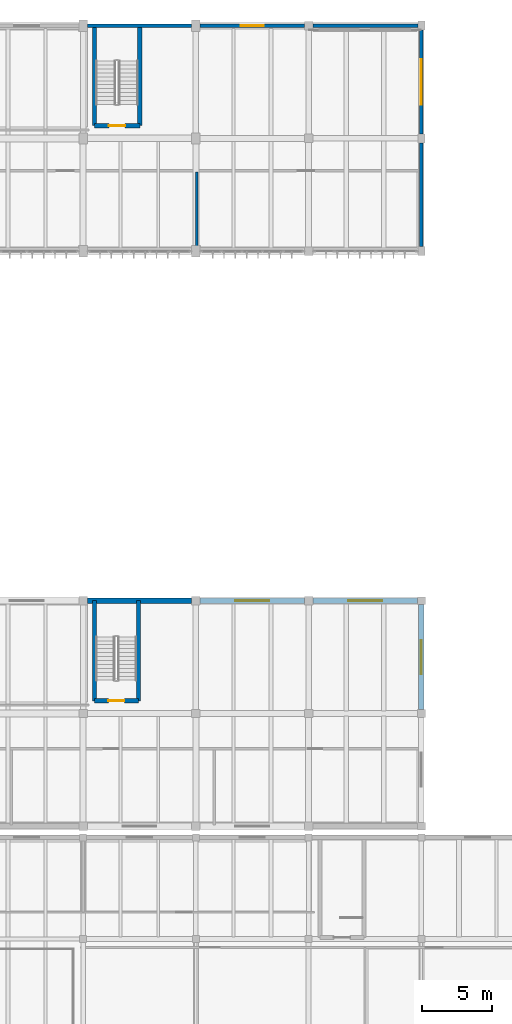
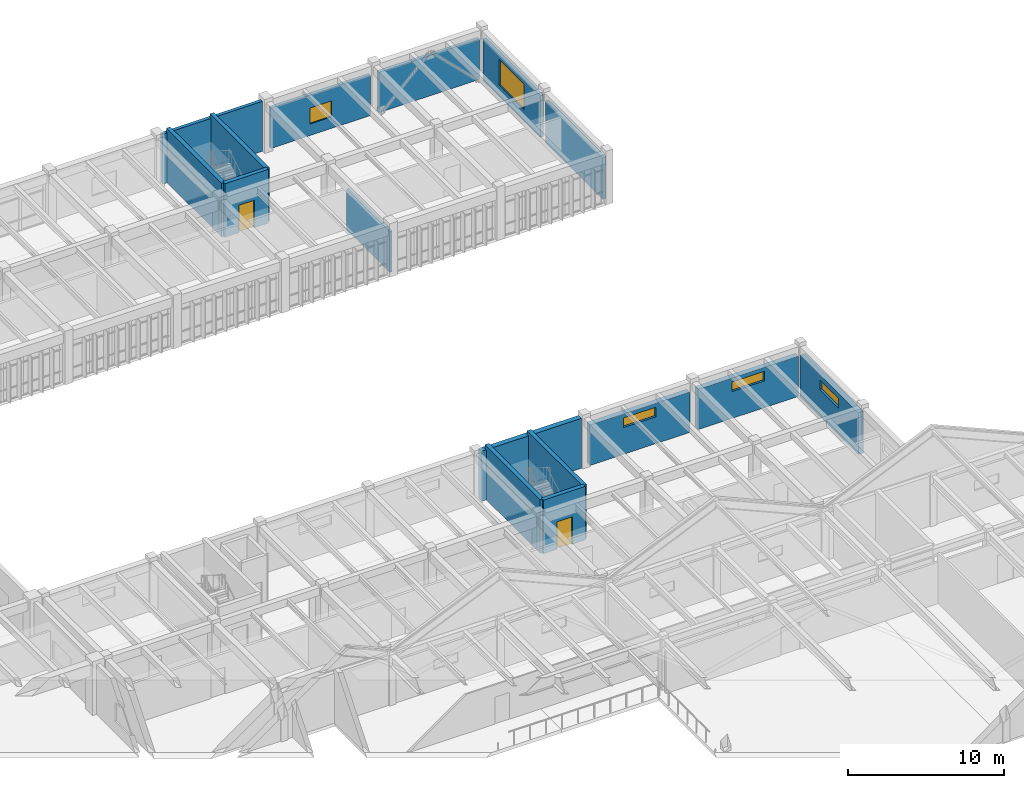
# One storey, part 51 of 67: 16 walls, 5 windows, 2 doors, 7 openings.
"""IFC4 building model written with IfcOpenShell, lengths in metres."""

from ifc_helpers import new_model, si_unit, direction, frame, frame_2d, origin, place, context, subcontext, project, spatial, rectangle, extrude, material, layer, layer_set, type_object, element, fill, save


model = new_model("IFC4")

# Units and contexts
model_context = context("Model", 3, precision=1e-05, world=origin(), true_north=direction((0.0, 1.0)))
body_context = subcontext(model_context, "Body", "Model", "MODEL_VIEW")
ifc_project = project(units=[si_unit("LENGTHUNIT", "METRE"), si_unit("AREAUNIT", "SQUARE_METRE"), si_unit("VOLUMEUNIT", "CUBIC_METRE"), si_unit("PLANEANGLEUNIT", "RADIAN"), si_unit("MASSUNIT", "GRAM", prefix="KILO")], contexts=[model_context])

# Site, building, storey
site_placement = place(None, origin())
site = spatial("IfcSite", under=ifc_project, at=site_placement, CompositionType="ELEMENT")
building_placement = place(site_placement, origin())
building = spatial("IfcBuilding", under=site, at=building_placement, Name="Tlaxcora Railside Police Headquarters", CompositionType="ELEMENT")
storey_placement = place(building_placement, frame((0.0, 0.0, 4.800048828125)))
storey = spatial("IfcBuildingStorey", under=building, at=storey_placement, Name="L01", CompositionType="ELEMENT", Elevation=4.800048828125)

# Wall
ifc_material_1 = material(Name="Gypsum acoustic partition board")
ifc_layer_1 = layer(ifc_material_1, 0.175048828125, Name="Gypsum acoustic partition board")
ifc_layer_set_1 = layer_set([ifc_layer_1], Name="Gypsum acoustic partition board")
wall_type_1 = type_object("IfcWallType", Name="Interior Partition Wall IW-22", PredefinedType="PARTITIONING", material=ifc_layer_set_1)
wall_1_placement = place(storey_placement, frame((142.875, 76.8798828125, 0.0), z_axis=(0.0, 0.0, 1.0), x_axis=(0.0, 1.0, 0.0)))
element("IfcWall", 1, at=wall_1_placement, inside=storey, type_object=wall_type_1, Name="V6 L01 interior partition 100", PredefinedType="PARTITIONING", context=body_context, shape_type="SweptSolid", body=[
    extrude(rectangle(XDim=5.52001953125, YDim=0.175048828125, at=frame_2d((2.760009765625, 0.0))), origin(), (0.0, 0.0, 1.0), 3.195068359375),
])

# Wall, opening, door
ifc_material_2 = material(Name="Concrete C40/50", Category="concrete")
ifc_layer_2 = layer(ifc_material_2, 0.300048828125, Name="Concrete C40/50")
ifc_layer_set_2 = layer_set([ifc_layer_2], Name="Concrete C40/50")
wall_type_2 = type_object("IfcWallType", Name="Shear Core Wall IW-28", PredefinedType="SHEAR", material=ifc_layer_set_2)
wall_2_placement = place(storey_placement, frame((135.60009765625, 85.699951171875, 0.0), z_axis=(0.0, 0.0, 1.0), x_axis=(1.0, 0.0, 0.0)))
wall_2 = element("IfcWall", 2, at=wall_2_placement, inside=storey, type_object=wall_type_2, Name="CORE-C3B L01 stair core wall S", PredefinedType="SHEAR", context=body_context, shape_type="SweptSolid", body=[
    extrude(rectangle(XDim=3.219970703125, YDim=0.300048828125, at=frame_2d((1.60986328125, 0.0))), origin(), (0.0, 0.0, 1.0), 4.199951171875),
])
opening_1_placement = place(wall_2_placement, frame((1.034912109375, 0.0, 0.0)))
opening_1 = element("IfcOpeningElement", 3, at=opening_1_placement, cuts=wall_2, Name="Opening SD-L01-027", PredefinedType="OPENING", context=body_context, shape_type="SweptSolid", body=[
    extrude(rectangle(XDim=1.14990234375, YDim=2.14990234375, at=frame_2d((0.574951171875, 1.074951171875))), frame((0.0, 0.16015625, 0.0), z_axis=(0.0, -1.0, 0.0), x_axis=(1.0, 0.0, 0.0)), (0.0, 0.0, 1.0), 0.320068359375),
])
ifc_material_3 = material(Name="Steel ASTM A992 Grade 50", Category="steel")
door_type = type_object("IfcDoorType", Name="Swing or Sliding Personnel Door ID-73", OperationType="NOTDEFINED", PredefinedType="DOOR", material=ifc_material_3)
door_1_placement = place(opening_1_placement, origin())
door_1 = element("IfcDoor", 4, at=door_1_placement, inside=storey, type_object=door_type, Name="Stair ST8 L01 enclosure fire door", OperationType="SINGLE_SWING_LEFT", OverallHeight=2.14990234375, OverallWidth=1.14990234375, PredefinedType="DOOR", context=body_context, shape_type="SweptSolid", body=[
    extrude(rectangle(XDim=1.14990234375, YDim=2.14990234375, at=frame_2d((0.574951171875, 1.074951171875))), frame((0.0, 0.02490234375, 0.0), z_axis=(0.0, -1.0, 0.0), x_axis=(1.0, 0.0, 0.0)), (0.0, 0.0, 1.0), 0.050048828125),
])
fill(opening_1, door_1)

# Walls
for number, where, z_axis, x_axis, name in (
    (5, (138.820068359375, 85.699951171875, 0.0), (0.0, 0.0, 1.0), (0.0, 1.0, 0.0), "CORE-C3B L01 stair core wall E"),
    (6, (135.60009765625, 92.800048828125, 0.0), (0.0, 0.0, 1.0), (0.0, -1.0, 0.0), "CORE-C3B L01 stair core wall W"),
):
    element("IfcWall", number, at=place(storey_placement, frame(where, z_axis=z_axis, x_axis=x_axis)), inside=storey, type_object=wall_type_2, Name=name, PredefinedType="SHEAR", context=body_context, shape_type="SweptSolid", body=[
        extrude(rectangle(XDim=7.10009765625, YDim=0.300048828125, at=frame_2d((3.550048828125, 0.0))), origin(), (0.0, 0.0, 1.0), 4.199951171875),
    ])

# Wall, opening, door
wall_3_placement = place(storey_placement, frame((135.60009765625, 44.89990234375, 0.0), z_axis=(0.0, 0.0, 1.0), x_axis=(1.0, 0.0, 0.0)))
wall_3 = element("IfcWall", 7, at=wall_3_placement, inside=storey, type_object=wall_type_2, Name="CORE-C7B L01 stair core wall S", PredefinedType="SHEAR", context=body_context, shape_type="SweptSolid", body=[
    extrude(rectangle(XDim=3.119873046875, YDim=0.300048828125, at=frame_2d((1.56005859375, 0.0))), origin(), (0.0, 0.0, 1.0), 4.199951171875),
])
opening_2_placement = place(wall_3_placement, frame((0.985107421875, 0.0, 0.0)))
opening_2 = element("IfcOpeningElement", 8, at=opening_2_placement, cuts=wall_3, Name="Opening SD-L01-052", PredefinedType="OPENING", context=body_context, shape_type="SweptSolid", body=[
    extrude(rectangle(XDim=1.14990234375, YDim=2.14990234375, at=frame_2d((0.574951171875, 1.074951171875))), frame((0.0, 0.16015625, 0.0), z_axis=(0.0, -1.0, 0.0), x_axis=(1.0, 0.0, 0.0)), (0.0, 0.0, 1.0), 0.320068359375),
])
door_2_placement = place(opening_2_placement, origin())
door_2 = element("IfcDoor", 9, at=door_2_placement, inside=storey, type_object=door_type, Name="Stair ST11 L01 enclosure fire door", OperationType="SINGLE_SWING_RIGHT", OverallHeight=2.14990234375, OverallWidth=1.14990234375, PredefinedType="DOOR", context=body_context, shape_type="SweptSolid", body=[
    extrude(rectangle(XDim=1.14990234375, YDim=2.14990234375, at=frame_2d((0.574951171875, 1.074951171875))), frame((0.0, 0.02490234375, 0.0), z_axis=(0.0, -1.0, 0.0), x_axis=(1.0, 0.0, 0.0)), (0.0, 0.0, 1.0), 0.050048828125),
])
fill(opening_2, door_2)

# Walls
for number, where, z_axis, x_axis, name in (
    (10, (138.719970703125, 44.89990234375, 0.0), (0.0, 0.0, 1.0), (0.0, 1.0, 0.0), "CORE-C7B L01 stair core wall E"),
    (11, (135.60009765625, 52.0, 0.0), (0.0, 0.0, 1.0), (0.0, -1.0, 0.0), "CORE-C7B L01 stair core wall W"),
):
    element("IfcWall", number, at=place(storey_placement, frame(where, z_axis=z_axis, x_axis=x_axis)), inside=storey, type_object=wall_type_2, Name=name, PredefinedType="SHEAR", context=body_context, shape_type="SweptSolid", body=[
        extrude(rectangle(XDim=7.10009765625, YDim=0.300048828125, at=frame_2d((3.550048828125, 0.0))), origin(), (0.0, 0.0, 1.0), 4.199951171875),
    ])

# Wall, opening, window
ifc_layer_3 = layer(ifc_material_2, 0.3798828125, Name="Concrete C40/50")
ifc_layer_set_3 = layer_set([ifc_layer_3], Name="Concrete C40/50")
wall_type_3 = type_object("IfcWallType", Name="Structural Bearing Wall EW-29", PredefinedType="SOLIDWALL", material=ifc_layer_set_3)
wall_4_placement = place(storey_placement, frame((158.800048828125, 44.27490234375, 0.0), z_axis=(0.0, 0.0, 1.0), x_axis=(0.0, 1.0, 0.0)))
wall_4 = element("IfcWall", 12, at=wall_4_placement, inside=storey, type_object=wall_type_3, Name="V7 L01 exterior wall 1.1", PredefinedType="SOLIDWALL", context=body_context, shape_type="SweptSolid", body=[
    extrude(rectangle(XDim=7.4501953125, YDim=0.3798828125, at=frame_2d((3.72509765625, 0.0))), origin(), (0.0, 0.0, 1.0), 3.260009765625),
])
opening_3_placement = place(wall_4_placement, frame((2.52490234375, 0.0, 2.10009765625)))
opening_3 = element("IfcOpeningElement", 13, at=opening_3_placement, cuts=wall_4, Name="Opening WN-32", PredefinedType="OPENING", context=body_context, shape_type="SweptSolid", body=[
    extrude(rectangle(XDim=2.39990234375, YDim=0.75, at=frame_2d((1.199951171875, 0.375))), frame((0.0, 0.199951171875, 0.0), z_axis=(0.0, -1.0, 0.0), x_axis=(1.0, 0.0, 0.0)), (0.0, 0.0, 1.0), 0.39990234375),
])
ifc_material_4 = material(Name="Thermally broken low-E insulated glazing", Category="glass")
window_type_1 = type_object("IfcWindowType", Name="Exterior Framed or Circular Window WN-32", PartitioningType="SINGLE_PANEL", PredefinedType="WINDOW", material=ifc_material_4)
window_1_placement = place(opening_3_placement, origin())
window_1 = element("IfcWindow", 14, at=window_1_placement, inside=storey, type_object=window_type_1, Name="V7 L01 window 201", OverallHeight=0.75, OverallWidth=2.39990234375, PartitioningType="SINGLE_PANEL", PredefinedType="WINDOW", context=body_context, shape_type="SweptSolid", body=[
    extrude(rectangle(XDim=2.39990234375, YDim=0.75, at=frame_2d((1.199951171875, 0.375))), frame((0.0, 0.030029296875, 0.0), z_axis=(0.0, -1.0, 0.0), x_axis=(1.0, 0.0, 0.0)), (0.0, 0.0, 1.0), 0.06005859375),
])
fill(opening_3, window_1)

wall_5_placement = place(storey_placement, frame((158.52490234375, 52.0, 0.0), z_axis=(0.0, 0.0, 1.0), x_axis=(-1.0, 0.0, 0.0)))
wall_5 = element("IfcWall", 15, at=wall_5_placement, inside=storey, type_object=wall_type_3, Name="V7 L01 exterior wall 2.0", PredefinedType="SOLIDWALL", context=body_context, shape_type="SweptSolid", body=[
    extrude(rectangle(XDim=7.4248046875, YDim=0.3798828125, at=frame_2d((3.71240234375, 0.0))), origin(), (0.0, 0.0, 1.0), 3.159912109375),
])
opening_4_placement = place(wall_5_placement, frame((2.512451171875, 0.0, 2.10009765625)))
opening_4 = element("IfcOpeningElement", 16, at=opening_4_placement, cuts=wall_5, Name="Opening WN-32", PredefinedType="OPENING", context=body_context, shape_type="SweptSolid", body=[
    extrude(rectangle(XDim=2.39990234375, YDim=0.75, at=frame_2d((1.199951171875, 0.375))), frame((0.0, 0.199951171875, 0.0), z_axis=(0.0, -1.0, 0.0), x_axis=(1.0, 0.0, 0.0)), (0.0, 0.0, 1.0), 0.39990234375),
])
window_2_placement = place(opening_4_placement, origin())
window_2 = element("IfcWindow", 17, at=window_2_placement, inside=storey, type_object=window_type_1, Name="V7 L01 window 202", OverallHeight=0.75, OverallWidth=2.39990234375, PartitioningType="SINGLE_PANEL", PredefinedType="WINDOW", context=body_context, shape_type="SweptSolid", body=[
    extrude(rectangle(XDim=2.39990234375, YDim=0.75, at=frame_2d((1.199951171875, 0.375))), frame((0.0, 0.030029296875, 0.0), z_axis=(0.0, -1.0, 0.0), x_axis=(1.0, 0.0, 0.0)), (0.0, 0.0, 1.0), 0.06005859375),
])
fill(opening_4, window_2)

wall_6_placement = place(storey_placement, frame((150.5, 52.0, 0.0), z_axis=(0.0, 0.0, 1.0), x_axis=(-1.0, 0.0, 0.0)))
wall_6 = element("IfcWall", 18, at=wall_6_placement, inside=storey, type_object=wall_type_3, Name="V7 L01 exterior wall 2.1", PredefinedType="SOLIDWALL", context=body_context, shape_type="SweptSolid", body=[
    extrude(rectangle(XDim=7.39990234375, YDim=0.3798828125, at=frame_2d((3.699951171875, 0.0))), origin(), (0.0, 0.0, 1.0), 3.159912109375),
])
opening_5_placement = place(wall_6_placement, frame((2.5, 0.0, 2.10009765625)))
opening_5 = element("IfcOpeningElement", 19, at=opening_5_placement, cuts=wall_6, Name="Opening WN-32", PredefinedType="OPENING", context=body_context, shape_type="SweptSolid", body=[
    extrude(rectangle(XDim=2.39990234375, YDim=0.75, at=frame_2d((1.199951171875, 0.375))), frame((0.0, 0.199951171875, 0.0), z_axis=(0.0, -1.0, 0.0), x_axis=(1.0, 0.0, 0.0)), (0.0, 0.0, 1.0), 0.39990234375),
])
window_3_placement = place(opening_5_placement, origin())
window_3 = element("IfcWindow", 20, at=window_3_placement, inside=storey, type_object=window_type_1, Name="V7 L01 window 203", OverallHeight=0.75, OverallWidth=2.39990234375, PartitioningType="SINGLE_PANEL", PredefinedType="WINDOW", context=body_context, shape_type="SweptSolid", body=[
    extrude(rectangle(XDim=2.39990234375, YDim=0.75, at=frame_2d((1.199951171875, 0.375))), frame((0.0, 0.030029296875, 0.0), z_axis=(0.0, -1.0, 0.0), x_axis=(1.0, 0.0, 0.0)), (0.0, 0.0, 1.0), 0.06005859375),
])
fill(opening_5, window_3)

# Walls
wall_7_placement = place(storey_placement, frame((142.5, 52.0, 0.0), z_axis=(0.0, 0.0, 1.0), x_axis=(-1.0, 0.0, 0.0)))
element("IfcWall", 21, at=wall_7_placement, inside=storey, type_object=wall_type_3, Name="V7 L01 exterior wall 2.2", PredefinedType="SOLIDWALL", context=body_context, shape_type="SweptSolid", body=[
    extrude(rectangle(XDim=7.39990234375, YDim=0.3798828125, at=frame_2d((3.699951171875, 0.0))), origin(), (0.0, 0.0, 1.0), 3.909912109375),
])
ifc_material_5 = material(Name="Precast concrete C40/50", Category="concrete")
ifc_layer_4 = layer(ifc_material_5, 0.2451171875, Name="Precast concrete C40/50")
ifc_layer_set_4 = layer_set([ifc_layer_4], Name="Precast concrete C40/50")
wall_type_4 = type_object("IfcWallType", Name="Structural Bearing Wall EW-94", PredefinedType="SOLIDWALL", material=ifc_layer_set_4)
wall_8_placement = place(storey_placement, frame((158.800048828125, 77.125, 0.0), z_axis=(0.0, 0.0, 1.0), x_axis=(0.0, 1.0, 0.0)))
element("IfcWall", 22, at=wall_8_placement, inside=storey, type_object=wall_type_4, Name="V6 L01 exterior wall 1.0", PredefinedType="SOLIDWALL", context=body_context, shape_type="SweptSolid", body=[
    extrude(rectangle(XDim=7.35009765625, YDim=0.2451171875, at=frame_2d((3.675048828125, 0.0))), origin(), (0.0, 0.0, 1.0), 3.260009765625),
])

# Wall, opening, window
wall_9_placement = place(storey_placement, frame((158.800048828125, 85.125, 0.0), z_axis=(0.0, 0.0, 1.0), x_axis=(0.0, 1.0, 0.0)))
wall_9 = element("IfcWall", 23, at=wall_9_placement, inside=storey, type_object=wall_type_4, Name="V6 L01 exterior wall 1.1", PredefinedType="SOLIDWALL", context=body_context, shape_type="SweptSolid", body=[
    extrude(rectangle(XDim=7.35009765625, YDim=0.2451171875, at=frame_2d((3.675048828125, 0.0))), origin(), (0.0, 0.0, 1.0), 3.260009765625),
])
opening_6_placement = place(wall_9_placement, frame((2.074951171875, 0.0, 0.89990234375)))
opening_6 = element("IfcOpeningElement", 24, at=opening_6_placement, cuts=wall_9, Name="Opening WN-64", PredefinedType="OPENING", context=body_context, shape_type="SweptSolid", body=[
    extrude(rectangle(XDim=3.199951171875, YDim=2.0, at=frame_2d((1.60009765625, 1.0))), frame((0.0, 0.132568359375, 0.0), z_axis=(0.0, -1.0, 0.0), x_axis=(1.0, 0.0, 0.0)), (0.0, 0.0, 1.0), 0.26513671875),
])
window_type_2 = type_object("IfcWindowType", Name="Exterior Framed or Circular Window WN-64", PartitioningType="SINGLE_PANEL", PredefinedType="WINDOW", material=ifc_material_4)
window_4_placement = place(opening_6_placement, origin())
window_4 = element("IfcWindow", 25, at=window_4_placement, inside=storey, type_object=window_type_2, Name="V6 L01 window 169", OverallHeight=2.0, OverallWidth=3.199951171875, PartitioningType="SINGLE_PANEL", PredefinedType="WINDOW", context=body_context, shape_type="SweptSolid", body=[
    extrude(rectangle(XDim=3.199951171875, YDim=2.0, at=frame_2d((1.60009765625, 1.0))), frame((0.0, 0.030029296875, 0.0), z_axis=(0.0, -1.0, 0.0), x_axis=(1.0, 0.0, 0.0)), (0.0, 0.0, 1.0), 0.06005859375),
])
fill(opening_6, window_4)

# Wall
wall_10_placement = place(storey_placement, frame((158.550048828125, 92.800048828125, 0.0), z_axis=(0.0, 0.0, 1.0), x_axis=(-1.0, 0.0, 0.0)))
element("IfcWall", 26, at=wall_10_placement, inside=storey, type_object=wall_type_4, Name="V6 L01 exterior wall 2.0", PredefinedType="SOLIDWALL", context=body_context, shape_type="SweptSolid", body=[
    extrude(rectangle(XDim=7.449951171875, YDim=0.2451171875, at=frame_2d((3.72509765625, 0.0))), origin(), (0.0, 0.0, 1.0), 3.159912109375),
])

# Wall, opening, window
wall_11_placement = place(storey_placement, frame((150.5, 92.800048828125, 0.0), z_axis=(0.0, 0.0, 1.0), x_axis=(-1.0, 0.0, 0.0)))
wall_11 = element("IfcWall", 27, at=wall_11_placement, inside=storey, type_object=wall_type_4, Name="V6 L01 exterior wall 2.1", PredefinedType="SOLIDWALL", context=body_context, shape_type="SweptSolid", body=[
    extrude(rectangle(XDim=7.39990234375, YDim=0.2451171875, at=frame_2d((3.699951171875, 0.0))), origin(), (0.0, 0.0, 1.0), 3.159912109375),
])
opening_7_placement = place(wall_11_placement, frame((2.89990234375, 0.0, 0.89990234375)))
opening_7 = element("IfcOpeningElement", 28, at=opening_7_placement, cuts=wall_11, Name="Opening WN-63", PredefinedType="OPENING", context=body_context, shape_type="SweptSolid", body=[
    extrude(rectangle(XDim=1.60009765625, YDim=1.25, at=frame_2d((0.800048828125, 0.625))), frame((0.0, 0.132568359375, 0.0), z_axis=(0.0, -1.0, 0.0), x_axis=(1.0, 0.0, 0.0)), (0.0, 0.0, 1.0), 0.26513671875),
])
window_type_3 = type_object("IfcWindowType", Name="Exterior Framed or Circular Window WN-63", PartitioningType="SINGLE_PANEL", PredefinedType="WINDOW", material=ifc_material_4)
window_5_placement = place(opening_7_placement, origin())
window_5 = element("IfcWindow", 29, at=window_5_placement, inside=storey, type_object=window_type_3, Name="V6 L01 window 170", OverallHeight=1.25, OverallWidth=1.60009765625, PartitioningType="SINGLE_PANEL", PredefinedType="WINDOW", context=body_context, shape_type="SweptSolid", body=[
    extrude(rectangle(XDim=1.60009765625, YDim=1.25, at=frame_2d((0.800048828125, 0.625))), frame((0.0, 0.030029296875, 0.0), z_axis=(0.0, -1.0, 0.0), x_axis=(1.0, 0.0, 0.0)), (0.0, 0.0, 1.0), 0.06005859375),
])
fill(opening_7, window_5)

# Wall
wall_12_placement = place(storey_placement, frame((142.5, 92.800048828125, 0.0), z_axis=(0.0, 0.0, 1.0), x_axis=(-1.0, 0.0, 0.0)))
element("IfcWall", 30, at=wall_12_placement, inside=storey, type_object=wall_type_4, Name="V6 L01 exterior wall 2.2", PredefinedType="SOLIDWALL", context=body_context, shape_type="SweptSolid", body=[
    extrude(rectangle(XDim=7.39990234375, YDim=0.2451171875, at=frame_2d((3.699951171875, 0.0))), origin(), (0.0, 0.0, 1.0), 3.909912109375),
])

save(model, "model.ifc")
